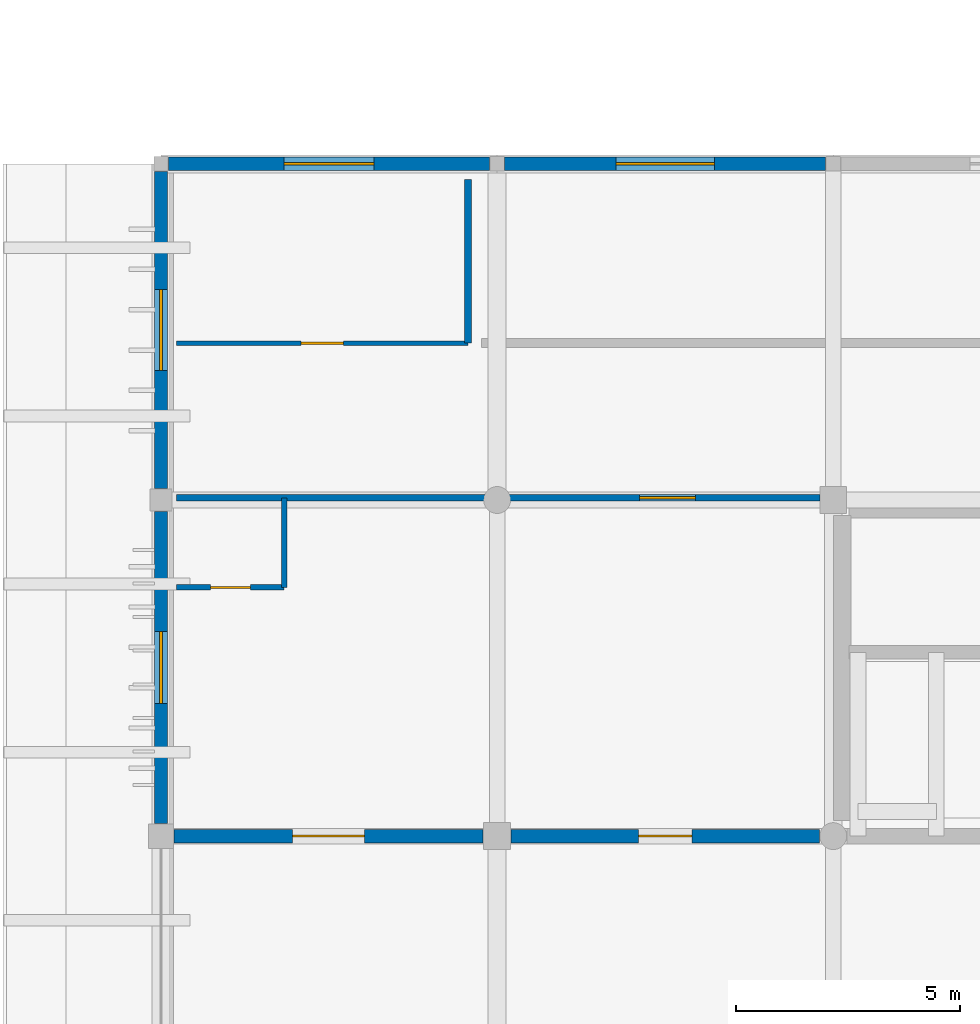
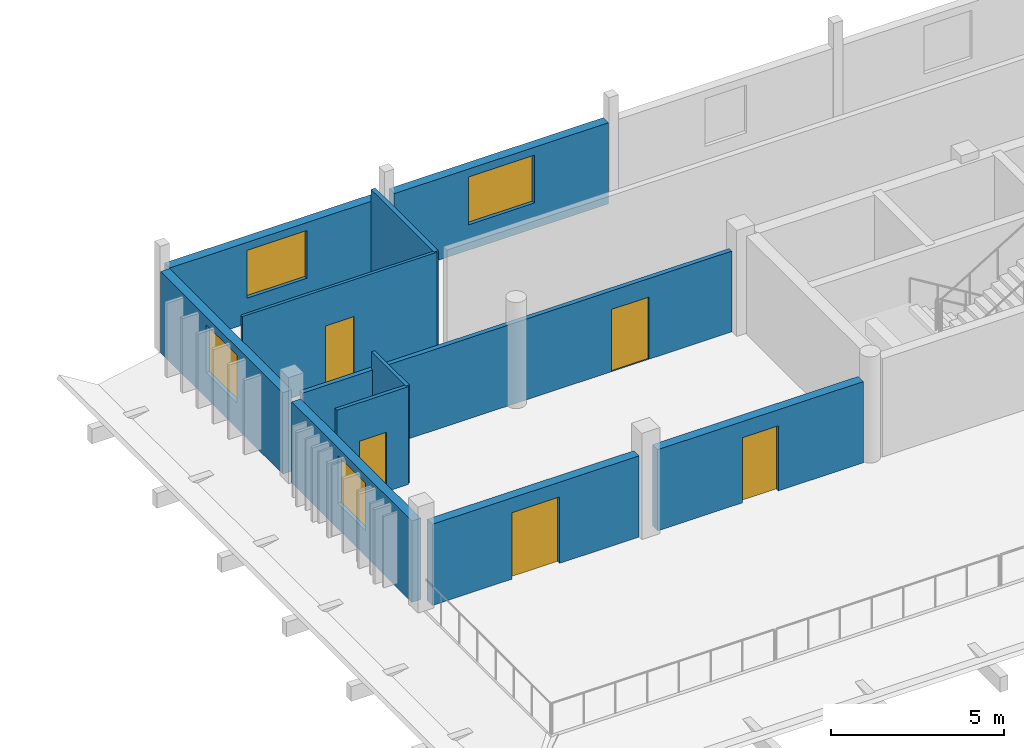
# One storey, part 19 of 43: 11 walls, 5 doors, 4 windows, 9 openings.
"""IFC4 building model written with IfcOpenShell, lengths in metres."""

from ifc_helpers import new_model, si_unit, direction, frame, frame_2d, origin, place, context, subcontext, project, spatial, rectangle, extrude, material, layer, layer_set, type_object, element, fill, save


model = new_model("IFC4")

# Units and contexts
model_context = context("Model", 3, precision=1e-05, world=origin(), true_north=direction((0.0, 1.0)))
body_context = subcontext(model_context, "Body", "Model", "MODEL_VIEW")
ifc_project = project(units=[si_unit("LENGTHUNIT", "METRE"), si_unit("AREAUNIT", "SQUARE_METRE"), si_unit("VOLUMEUNIT", "CUBIC_METRE"), si_unit("PLANEANGLEUNIT", "RADIAN"), si_unit("MASSUNIT", "GRAM", prefix="KILO")], contexts=[model_context])

# Site, building, storey
site_placement = place(None, origin())
site = spatial("IfcSite", under=ifc_project, at=site_placement, CompositionType="ELEMENT")
building_placement = place(site_placement, origin())
building = spatial("IfcBuilding", under=site, at=building_placement, Name="Dalvernix Boulevard General Hospital", CompositionType="ELEMENT")
storey_placement = place(building_placement, frame((0.0, 0.0, 14.10009765625)))
storey = spatial("IfcBuildingStorey", under=building, at=storey_placement, Name="L03", CompositionType="ELEMENT", Elevation=14.10009765625)

# Wall, opening, door
ifc_material_1 = material(Name="Pressed Catalan clay brick and ceramic spandrel wall C35/45", Category="masonry")
ifc_layer_1 = layer(ifc_material_1, 0.300048828125)
ifc_layer_set_1 = layer_set([ifc_layer_1], Name="Pressed Catalan clay brick and ceramic spandrel wall C35/45 (WAL-EW-02)")
wall_type_1 = type_object("IfcWallType", Name="WAL-EW-02", PredefinedType="STANDARD", material=ifc_layer_set_1)
wall_1_placement = place(storey_placement, frame((119.68994140625, 7.5, 0.0), z_axis=(0.0, 0.0, 1.0), x_axis=(-1.0, 0.0, 0.0)))
wall_1 = element("IfcWall", 1, at=wall_1_placement, inside=storey, type_object=wall_type_1, Name="L03 Catalan brick external wall S 15-1", PredefinedType="STANDARD", context=body_context, shape_type="SweptSolid", body=[
    extrude(rectangle(XDim=6.905029296875, YDim=0.300048828125, at=frame_2d((3.45263671875, 0.0))), origin(), (0.0, 0.0, 1.0), 2.869873046875),
])
opening_1_placement = place(wall_1_placement, frame((2.652587890625, 0.0, 0.0)))
opening_1 = element("IfcOpeningElement", 2, at=opening_1_placement, cuts=wall_1, Name="Opening TD-16", PredefinedType="OPENING", context=body_context, shape_type="SweptSolid", body=[
    extrude(rectangle(XDim=1.60009765625, YDim=2.35009765625, at=frame_2d((0.800048828125, 1.175048828125))), frame((0.0, 0.159912109375, 0.0), z_axis=(0.0, -1.0, 0.0), x_axis=(1.0, 0.0, 0.0)), (0.0, 0.0, 1.0), 0.320068359375),
])
ifc_material_2 = material(Name="Powder-coated aluminium and laminated safety glass", Category="aluminium")
door_type_1 = type_object("IfcDoorType", Name="DR-TD-16", OperationType="DOUBLE_DOOR_SINGLE_SWING", PredefinedType="DOOR", material=ifc_material_2)
door_1_placement = place(opening_1_placement, origin())
door_1 = element("IfcDoor", 3, at=door_1_placement, inside=storey, type_object=door_type_1, Name="L03 ward terrace access door S 15-1", OperationType="DOUBLE_DOOR_SINGLE_SWING", OverallHeight=2.35009765625, OverallWidth=1.60009765625, PredefinedType="DOOR", context=body_context, shape_type="SweptSolid", body=[
    extrude(rectangle(XDim=1.60009765625, YDim=2.35009765625, at=frame_2d((0.800048828125, 1.175048828125))), frame((0.0, 0.02490234375, 0.0), z_axis=(0.0, -1.0, 0.0), x_axis=(1.0, 0.0, 0.0)), (0.0, 0.0, 1.0), 0.050048828125),
])
fill(opening_1, door_1)

# Wall, opening, window
wall_2_placement = place(storey_placement, frame((112.5, 7.784912109375, 0.0), z_axis=(0.0, 0.0, 1.0), x_axis=(0.0, 1.0, 0.0)))
wall_2 = element("IfcWall", 4, at=wall_2_placement, inside=storey, type_object=wall_type_1, Name="L03 Catalan brick external wall W 15-1", PredefinedType="STANDARD", context=body_context, shape_type="SweptSolid", body=[
    extrude(rectangle(XDim=6.955078125, YDim=0.300048828125, at=frame_2d((3.4775390625, 0.0))), origin(), (0.0, 0.0, 1.0), 2.869873046875),
])
opening_2_placement = place(wall_2_placement, frame((2.677490234375, 0.0, 0.89990234375)))
opening_2 = element("IfcOpeningElement", 5, at=opening_2_placement, cuts=wall_2, Name="Opening WN-10", PredefinedType="OPENING", context=body_context, shape_type="SweptSolid", body=[
    extrude(rectangle(XDim=1.60009765625, YDim=1.68994140625, at=frame_2d((0.800048828125, 0.844970703125))), frame((0.0, 0.159912109375, 0.0), z_axis=(0.0, -1.0, 0.0), x_axis=(1.0, 0.0, 0.0)), (0.0, 0.0, 1.0), 0.320068359375),
])
ifc_material_3 = material(Name="Thermally broken aluminium frame with solar-control double glazing", Category="aluminium")
window_type_1 = type_object("IfcWindowType", Name="WIN-WN-10", PartitioningType="SINGLE_PANEL", PredefinedType="WINDOW", material=ifc_material_3)
window_1_placement = place(opening_2_placement, origin())
window_1 = element("IfcWindow", 6, at=window_1_placement, inside=storey, type_object=window_type_1, Name="L03 clinical window WN-10 W 15-1", OverallHeight=1.68994140625, OverallWidth=1.60009765625, PartitioningType="SINGLE_PANEL", PredefinedType="WINDOW", context=body_context, shape_type="SweptSolid", body=[
    extrude(rectangle(XDim=1.60009765625, YDim=1.68994140625, at=frame_2d((0.800048828125, 0.844970703125))), frame((0.0, 0.030029296875, 0.0), z_axis=(0.0, -1.0, 0.0), x_axis=(1.0, 0.0, 0.0)), (0.0, 0.0, 1.0), 0.06005859375),
])
fill(opening_2, window_1)

wall_3_placement = place(storey_placement, frame((112.669921875, 22.5, 0.0), z_axis=(0.0, 0.0, 1.0), x_axis=(1.0, 0.0, 0.0)))
wall_3 = element("IfcWall", 7, at=wall_3_placement, inside=storey, type_object=wall_type_1, Name="L03 Catalan brick external wall N 15-3", PredefinedType="STANDARD", context=body_context, shape_type="SweptSolid", body=[
    extrude(rectangle(XDim=7.16015625, YDim=0.300048828125, at=frame_2d((3.580078125, 0.0))), origin(), (0.0, 0.0, 1.0), 2.869873046875),
])
opening_3_placement = place(wall_3_placement, frame((2.580078125, 0.0, 0.89990234375)))
opening_3 = element("IfcOpeningElement", 8, at=opening_3_placement, cuts=wall_3, Name="Opening WN-12", PredefinedType="OPENING", context=body_context, shape_type="SweptSolid", body=[
    extrude(rectangle(XDim=2.0, YDim=1.68994140625, at=frame_2d((1.0, 0.844970703125))), frame((0.0, 0.159912109375, 0.0), z_axis=(0.0, -1.0, 0.0), x_axis=(1.0, 0.0, 0.0)), (0.0, 0.0, 1.0), 0.320068359375),
])
window_type_2 = type_object("IfcWindowType", Name="WIN-WN-12", PartitioningType="SINGLE_PANEL", PredefinedType="WINDOW", material=ifc_material_3)
window_2_placement = place(opening_3_placement, origin())
window_2 = element("IfcWindow", 9, at=window_2_placement, inside=storey, type_object=window_type_2, Name="L03 clinical window WN-12 N 15-3", OverallHeight=1.68994140625, OverallWidth=2.0, PartitioningType="SINGLE_PANEL", PredefinedType="WINDOW", context=body_context, shape_type="SweptSolid", body=[
    extrude(rectangle(XDim=2.0, YDim=1.68994140625, at=frame_2d((1.0, 0.844970703125))), frame((0.0, 0.030029296875, 0.0), z_axis=(0.0, -1.0, 0.0), x_axis=(1.0, 0.0, 0.0)), (0.0, 0.0, 1.0), 0.06005859375),
])
fill(opening_3, window_2)

wall_4_placement = place(storey_placement, frame((112.5, 15.260009765625, 0.0), z_axis=(0.0, 0.0, 1.0), x_axis=(0.0, 1.0, 0.0)))
wall_4 = element("IfcWall", 10, at=wall_4_placement, inside=storey, type_object=wall_type_1, Name="L03 Catalan brick external wall W 15-2", PredefinedType="STANDARD", context=body_context, shape_type="SweptSolid", body=[
    extrude(rectangle(XDim=7.070068359375, YDim=0.300048828125, at=frame_2d((3.53515625, 0.0))), origin(), (0.0, 0.0, 1.0), 2.869873046875),
])
opening_4_placement = place(wall_4_placement, frame((2.635009765625, 0.0, 0.89990234375)))
opening_4 = element("IfcOpeningElement", 11, at=opening_4_placement, cuts=wall_4, Name="Opening WN-11", PredefinedType="OPENING", context=body_context, shape_type="SweptSolid", body=[
    extrude(rectangle(XDim=1.800048828125, YDim=1.68994140625, at=frame_2d((0.89990234375, 0.844970703125))), frame((0.0, 0.159912109375, 0.0), z_axis=(0.0, -1.0, 0.0), x_axis=(1.0, 0.0, 0.0)), (0.0, 0.0, 1.0), 0.320068359375),
])
window_type_3 = type_object("IfcWindowType", Name="WIN-WN-11", PartitioningType="SINGLE_PANEL", PredefinedType="WINDOW", material=ifc_material_3)
window_3_placement = place(opening_4_placement, origin())
window_3 = element("IfcWindow", 12, at=window_3_placement, inside=storey, type_object=window_type_3, Name="L03 clinical window WN-11 W 15-2", OverallHeight=1.68994140625, OverallWidth=1.800048828125, PartitioningType="SINGLE_PANEL", PredefinedType="WINDOW", context=body_context, shape_type="SweptSolid", body=[
    extrude(rectangle(XDim=1.800048828125, YDim=1.68994140625, at=frame_2d((0.89990234375, 0.844970703125))), frame((0.0, 0.030029296875, 0.0), z_axis=(0.0, -1.0, 0.0), x_axis=(1.0, 0.0, 0.0)), (0.0, 0.0, 1.0), 0.06005859375),
])
fill(opening_4, window_3)

# Wall, opening, door
wall_5_placement = place(storey_placement, frame((127.18994140625, 7.5, 0.0), z_axis=(0.0, 0.0, 1.0), x_axis=(-1.0, 0.0, 0.0)))
wall_5 = element("IfcWall", 13, at=wall_5_placement, inside=storey, type_object=wall_type_1, Name="L03 Catalan brick external wall S 16-1", PredefinedType="STANDARD", context=body_context, shape_type="SweptSolid", body=[
    extrude(rectangle(XDim=6.8798828125, YDim=0.300048828125, at=frame_2d((3.43994140625, 0.0))), origin(), (0.0, 0.0, 1.0), 2.869873046875),
])
opening_5_placement = place(wall_5_placement, frame((2.840087890625, 0.0, 0.0)))
opening_5 = element("IfcOpeningElement", 14, at=opening_5_placement, cuts=wall_5, Name="Opening TD-12", PredefinedType="OPENING", context=body_context, shape_type="SweptSolid", body=[
    extrude(rectangle(XDim=1.199951171875, YDim=2.300048828125, at=frame_2d((0.60009765625, 1.14990234375))), frame((0.0, 0.159912109375, 0.0), z_axis=(0.0, -1.0, 0.0), x_axis=(1.0, 0.0, 0.0)), (0.0, 0.0, 1.0), 0.320068359375),
])
door_type_2 = type_object("IfcDoorType", Name="DR-TD-12", OperationType="NOTDEFINED", PredefinedType="DOOR", material=ifc_material_2)
door_2_placement = place(opening_5_placement, origin())
door_2 = element("IfcDoor", 15, at=door_2_placement, inside=storey, type_object=door_type_2, Name="L03 ward terrace access door S 16-1", OperationType="SINGLE_SWING_LEFT", OverallHeight=2.300048828125, OverallWidth=1.199951171875, PredefinedType="DOOR", context=body_context, shape_type="SweptSolid", body=[
    extrude(rectangle(XDim=1.199951171875, YDim=2.300048828125, at=frame_2d((0.60009765625, 1.14990234375))), frame((0.0, 0.02490234375, 0.0), z_axis=(0.0, -1.0, 0.0), x_axis=(1.0, 0.0, 0.0)), (0.0, 0.0, 1.0), 0.050048828125),
])
fill(opening_5, door_2)

# Wall, opening, window
wall_6_placement = place(storey_placement, frame((120.169921875, 22.5, 0.0), z_axis=(0.0, 0.0, 1.0), x_axis=(1.0, 0.0, 0.0)))
wall_6 = element("IfcWall", 16, at=wall_6_placement, inside=storey, type_object=wall_type_1, Name="L03 Catalan brick external wall N 16-3", PredefinedType="STANDARD", context=body_context, shape_type="SweptSolid", body=[
    extrude(rectangle(XDim=7.16015625, YDim=0.300048828125, at=frame_2d((3.580078125, 0.0))), origin(), (0.0, 0.0, 1.0), 2.869873046875),
])
opening_6_placement = place(wall_6_placement, frame((2.47998046875, 0.0, 0.89990234375)))
opening_6 = element("IfcOpeningElement", 17, at=opening_6_placement, cuts=wall_6, Name="Opening WN-13", PredefinedType="OPENING", context=body_context, shape_type="SweptSolid", body=[
    extrude(rectangle(XDim=2.199951171875, YDim=1.68994140625, at=frame_2d((1.10009765625, 0.844970703125))), frame((0.0, 0.159912109375, 0.0), z_axis=(0.0, -1.0, 0.0), x_axis=(1.0, 0.0, 0.0)), (0.0, 0.0, 1.0), 0.320068359375),
])
window_type_4 = type_object("IfcWindowType", Name="WIN-WN-13", PartitioningType="SINGLE_PANEL", PredefinedType="WINDOW", material=ifc_material_3)
window_4_placement = place(opening_6_placement, origin())
window_4 = element("IfcWindow", 18, at=window_4_placement, inside=storey, type_object=window_type_4, Name="L03 clinical window WN-13 N 16-3", OverallHeight=1.68994140625, OverallWidth=2.199951171875, PartitioningType="SINGLE_PANEL", PredefinedType="WINDOW", context=body_context, shape_type="SweptSolid", body=[
    extrude(rectangle(XDim=2.199951171875, YDim=1.68994140625, at=frame_2d((1.10009765625, 0.844970703125))), frame((0.0, 0.030029296875, 0.0), z_axis=(0.0, -1.0, 0.0), x_axis=(1.0, 0.0, 0.0)), (0.0, 0.0, 1.0), 0.06005859375),
])
fill(opening_6, window_4)

# Wall, opening, door
ifc_material_4 = material(Name="Acoustic double-stud gypsum inpatient partition")
ifc_layer_2 = layer(ifc_material_4, 0.14990234375)
ifc_layer_set_2 = layer_set([ifc_layer_2], Name="Acoustic double-stud gypsum inpatient partition (WAL-IW-04)")
wall_type_2 = type_object("IfcWallType", Name="WAL-IW-04", PredefinedType="PARTITIONING", material=ifc_layer_set_2)
wall_7_placement = place(storey_placement, frame((127.199951171875, 15.050048828125, 0.0), z_axis=(0.0, 0.0, 1.0), x_axis=(-1.0, 0.0, 0.0)))
wall_7 = element("IfcWall", 19, at=wall_7_placement, inside=storey, type_object=wall_type_2, Name="L03 Paediatric Patient Room L03-01 corridor wall", PredefinedType="PARTITIONING", context=body_context, shape_type="SweptSolid", body=[
    extrude(rectangle(XDim=14.349853515625, YDim=0.14990234375, at=frame_2d((7.1748046875, 0.0))), origin(), (0.0, 0.0, 1.0), 2.85498046875),
])
opening_7_placement = place(wall_7_placement, frame((2.77001953125, 0.0, 0.0)))
opening_7 = element("IfcOpeningElement", 20, at=opening_7_placement, cuts=wall_7, Name="Opening ID-04", PredefinedType="OPENING", context=body_context, shape_type="SweptSolid", body=[
    extrude(rectangle(XDim=1.25, YDim=2.199951171875, at=frame_2d((0.625, 1.10009765625))), frame((0.0, 0.0849609375, 0.0), z_axis=(0.0, -1.0, 0.0), x_axis=(1.0, 0.0, 0.0)), (0.0, 0.0, 1.0), 0.169921875),
])
ifc_material_5 = material(Name="Hospital laminate acoustic timber and steel frame", Category="steel")
door_type_3 = type_object("IfcDoorType", Name="DR-ID-04", OperationType="NOTDEFINED", PredefinedType="DOOR", material=ifc_material_5)
door_3_placement = place(opening_7_placement, origin())
door_3 = element("IfcDoor", 21, at=door_3_placement, inside=storey, type_object=door_type_3, Name="L03 Paediatric Patient Room L03-01 door", OperationType="SINGLE_SWING_RIGHT", OverallHeight=2.199951171875, OverallWidth=1.25, PredefinedType="DOOR", context=body_context, shape_type="SweptSolid", body=[
    extrude(rectangle(XDim=1.25, YDim=2.199951171875, at=frame_2d((0.625, 1.10009765625))), frame((0.0, 0.02490234375, 0.0), z_axis=(0.0, -1.0, 0.0), x_axis=(1.0, 0.0, 0.0)), (0.0, 0.0, 1.0), 0.050048828125),
])
fill(opening_7, door_3)

# Wall
wall_8_placement = place(storey_placement, frame((119.35009765625, 18.5, 0.0), z_axis=(0.0, 0.0, 1.0), x_axis=(0.0, 1.0, 0.0)))
element("IfcWall", 22, at=wall_8_placement, inside=storey, type_object=wall_type_2, Name="L03 Accessible WC L03 South-East partition", PredefinedType="PARTITIONING", context=body_context, shape_type="SweptSolid", body=[
    extrude(rectangle(XDim=3.64990234375, YDim=0.14990234375, at=frame_2d((1.824951171875, 0.0))), origin(), (0.0, 0.0, 1.0), 3.454833984375),
])

# Wall, opening, door
ifc_material_6 = material(Name="Moisture-resistant en-suite bathroom partition")
ifc_layer_3 = layer(ifc_material_6, 0.1201171875)
ifc_layer_set_3 = layer_set([ifc_layer_3], Name="Moisture-resistant en-suite bathroom partition (WAL-IW-05)")
wall_type_3 = type_object("IfcWallType", Name="WAL-IW-05", PredefinedType="PARTITIONING", material=ifc_layer_set_3)
wall_9_placement = place(storey_placement, frame((112.85009765625, 13.050048828125, 0.0), z_axis=(0.0, 0.0, 1.0), x_axis=(1.0, 0.0, 0.0)))
wall_9 = element("IfcWall", 23, at=wall_9_placement, inside=storey, type_object=wall_type_3, Name="L03 en-suite bathroom door wall", PredefinedType="PARTITIONING", context=body_context, shape_type="SweptSolid", body=[
    extrude(rectangle(XDim=2.39990234375, YDim=0.1201171875, at=frame_2d((1.199951171875, 0.0))), origin(), (0.0, 0.0, 1.0), 3.454833984375),
])
opening_8_placement = place(wall_9_placement, frame((0.75, 0.0, 0.0)))
opening_8 = element("IfcOpeningElement", 24, at=opening_8_placement, cuts=wall_9, Name="Opening ID-05", PredefinedType="OPENING", context=body_context, shape_type="SweptSolid", body=[
    extrude(rectangle(XDim=0.89990234375, YDim=2.10009765625, at=frame_2d((0.449951171875, 1.050048828125))), frame((0.0, 0.070068359375, 0.0), z_axis=(0.0, -1.0, 0.0), x_axis=(1.0, 0.0, 0.0)), (0.0, 0.0, 1.0), 0.14013671875),
])
door_type_4 = type_object("IfcDoorType", Name="DR-ID-05", OperationType="NOTDEFINED", PredefinedType="DOOR", material=ifc_material_5)
door_4_placement = place(opening_8_placement, origin())
door_4 = element("IfcDoor", 25, at=door_4_placement, inside=storey, type_object=door_type_4, Name="L03 L03-V5-W1 en-suite bathroom door", OperationType="SINGLE_SWING_LEFT", OverallHeight=2.10009765625, OverallWidth=0.89990234375, PredefinedType="DOOR", context=body_context, shape_type="SweptSolid", body=[
    extrude(rectangle(XDim=0.89990234375, YDim=2.10009765625, at=frame_2d((0.449951171875, 1.050048828125))), frame((0.0, 0.02490234375, 0.0), z_axis=(0.0, -1.0, 0.0), x_axis=(1.0, 0.0, 0.0)), (0.0, 0.0, 1.0), 0.050048828125),
])
fill(opening_8, door_4)

# Wall
wall_10_placement = place(storey_placement, frame((115.25, 13.050048828125, 0.0), z_axis=(0.0, 0.0, 1.0), x_axis=(0.0, 1.0, 0.0)))
element("IfcWall", 26, at=wall_10_placement, inside=storey, type_object=wall_type_3, Name="L03 en-suite bathroom side wall", PredefinedType="PARTITIONING", context=body_context, shape_type="SweptSolid", body=[
    extrude(rectangle(XDim=2.0, YDim=0.1201171875, at=frame_2d((1.0, 0.0))), origin(), (0.0, 0.0, 1.0), 3.454833984375),
])

# Wall, opening, door
ifc_material_7 = material(Name="Fire-resisting clinical sub-partition")
ifc_layer_4 = layer(ifc_material_7, 0.10009765625)
ifc_layer_set_4 = layer_set([ifc_layer_4], Name="Fire-resisting clinical sub-partition (WAL-IW-06)")
wall_type_4 = type_object("IfcWallType", Name="WAL-IW-06", PredefinedType="PARTITIONING", material=ifc_layer_set_4)
wall_11_placement = place(storey_placement, frame((112.85009765625, 18.5, 0.0), z_axis=(0.0, 0.0, 1.0), x_axis=(1.0, 0.0, 0.0)))
wall_11 = element("IfcWall", 27, at=wall_11_placement, inside=storey, type_object=wall_type_4, Name="L03 Accessible WC L03 South-East corridor wall", PredefinedType="PARTITIONING", context=body_context, shape_type="SweptSolid", body=[
    extrude(rectangle(XDim=6.5, YDim=0.10009765625, at=frame_2d((3.25, 0.0))), origin(), (0.0, 0.0, 1.0), 3.454833984375),
])
opening_9_placement = place(wall_11_placement, frame((2.77490234375, 0.0, 0.0)))
opening_9 = element("IfcOpeningElement", 28, at=opening_9_placement, cuts=wall_11, Name="Opening ID-06", PredefinedType="OPENING", context=body_context, shape_type="SweptSolid", body=[
    extrude(rectangle(XDim=0.949951171875, YDim=2.14990234375, at=frame_2d((0.47509765625, 1.074951171875))), frame((0.0, 0.06005859375, 0.0), z_axis=(0.0, -1.0, 0.0), x_axis=(1.0, 0.0, 0.0)), (0.0, 0.0, 1.0), 0.1201171875),
])
door_type_5 = type_object("IfcDoorType", Name="DR-ID-06", OperationType="NOTDEFINED", PredefinedType="DOOR", material=ifc_material_5)
door_5_placement = place(opening_9_placement, origin())
door_5 = element("IfcDoor", 29, at=door_5_placement, inside=storey, type_object=door_type_5, Name="L03 Accessible WC L03 South-East door", OperationType="SINGLE_SWING_RIGHT", OverallHeight=2.14990234375, OverallWidth=0.949951171875, PredefinedType="DOOR", context=body_context, shape_type="SweptSolid", body=[
    extrude(rectangle(XDim=0.949951171875, YDim=2.14990234375, at=frame_2d((0.47509765625, 1.074951171875))), frame((0.0, 0.02490234375, 0.0), z_axis=(0.0, -1.0, 0.0), x_axis=(1.0, 0.0, 0.0)), (0.0, 0.0, 1.0), 0.050048828125),
])
fill(opening_9, door_5)

save(model, "model.ifc")
